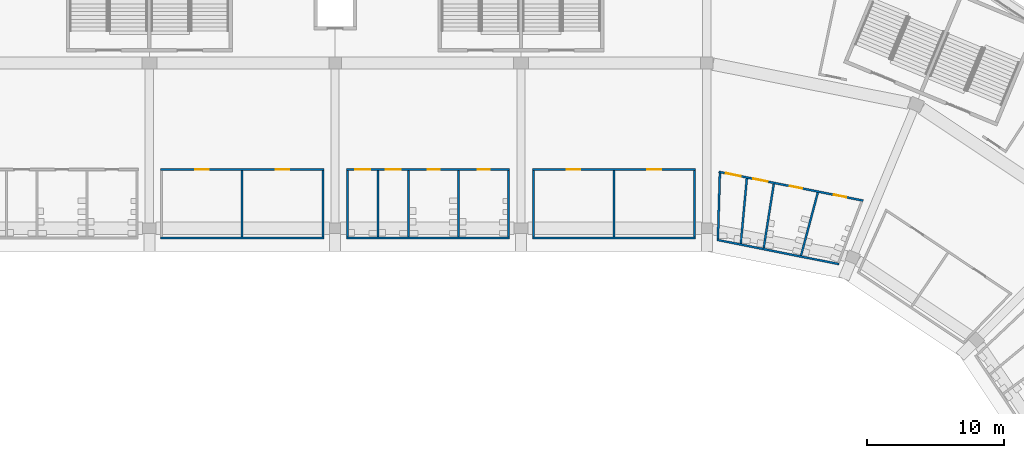
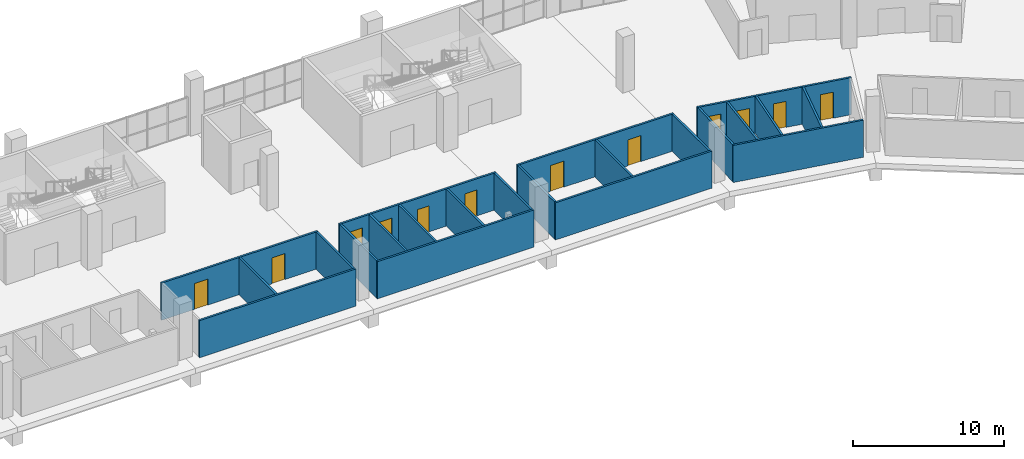
# One storey, part 86 of 199: 22 walls, 12 doors, 12 openings.
"""IFC4 building model written with IfcOpenShell, lengths in metres."""

from ifc_helpers import new_model, si_unit, direction, frame, frame_2d, origin, place, context, subcontext, project, spatial, rectangle, extrude, material, layer, layer_set, type_object, element, fill, save


model = new_model("IFC4")

# Units and contexts
model_context = context("Model", 3, precision=1e-05, world=origin(), true_north=direction((0.0, 1.0)))
body_context = subcontext(model_context, "Body", "Model", "MODEL_VIEW")
ifc_project = project(units=[si_unit("LENGTHUNIT", "METRE"), si_unit("AREAUNIT", "SQUARE_METRE"), si_unit("VOLUMEUNIT", "CUBIC_METRE"), si_unit("PLANEANGLEUNIT", "RADIAN"), si_unit("MASSUNIT", "GRAM", prefix="KILO")], contexts=[model_context])

# Site, building, storey
site_placement = place(None, origin())
site = spatial("IfcSite", under=ifc_project, at=site_placement, CompositionType="ELEMENT")
building_placement = place(site_placement, origin())
building = spatial("IfcBuilding", under=site, at=building_placement, Name="Ogive Plaza Stadium", CompositionType="ELEMENT")
storey_placement = place(building_placement, frame((0.0, 0.0, 4.5)))
storey = spatial("IfcBuildingStorey", under=building, at=storey_placement, Name="L01", CompositionType="ELEMENT", Elevation=4.5)

# Wall
ifc_material_1 = material(Name="Masonry blockwork", Category="masonry")
ifc_layer_1 = layer(ifc_material_1, 0.14990234375)
ifc_layer_set_1 = layer_set([ifc_layer_1], Name="Blockwork wall 150")
wall_type_1 = type_object("IfcWallType", Name="Blockwork wall 150", PredefinedType="SOLIDWALL", material=ifc_layer_set_1)
wall_1_placement = place(storey_placement, frame((-5.97509765625, 79.699951171875, 0.0), z_axis=(0.0, 0.0, 1.0), x_axis=(1.0, 0.0, 0.0)))
element("IfcWall", 1, at=wall_1_placement, inside=storey, type_object=wall_type_1, Name="Wall L01 B34", PredefinedType="SOLIDWALL", context=body_context, shape_type="SweptSolid", body=[
    extrude(rectangle(XDim=11.9501953125, YDim=0.14990234375, at=frame_2d((5.97509765625, 0.0))), origin(), (0.0, 0.0, 1.0), 3.0),
])

# Wall, openings, doors
wall_2_placement = place(storey_placement, frame((-5.97509765625, 84.699951171875, 0.0), z_axis=(0.0, 0.0, 1.0), x_axis=(1.0, 0.0, 0.0)))
wall_2 = element("IfcWall", 2, at=wall_2_placement, inside=storey, type_object=wall_type_1, Name="Wall L01 B34", PredefinedType="SOLIDWALL", context=body_context, shape_type="SweptSolid", body=[
    extrude(rectangle(XDim=11.9501953125, YDim=0.14990234375, at=frame_2d((5.97509765625, 0.0))), origin(), (0.0, 0.0, 1.0), 3.0),
])
opening_1_placement = place(wall_2_placement, frame((2.52490234375, 0.0, 0.0)))
opening_1 = element("IfcOpeningElement", 3, at=opening_1_placement, cuts=wall_2, Name="Opening D0581", PredefinedType="OPENING", context=body_context, shape_type="SweptSolid", body=[
    extrude(rectangle(XDim=1.0, YDim=2.10009765625, at=frame_2d((0.5, 1.050048828125))), frame((0.0, 0.074951171875, 0.0), z_axis=(0.0, -1.0, 0.0), x_axis=(1.0, 0.0, 0.0)), (0.0, 0.0, 1.0), 0.14990234375),
])
opening_2_placement = place(wall_2_placement, frame((8.425048828125, 0.0, 0.0)))
opening_2 = element("IfcOpeningElement", 4, at=opening_2_placement, cuts=wall_2, Name="Opening D0582", PredefinedType="OPENING", context=body_context, shape_type="SweptSolid", body=[
    extrude(rectangle(XDim=1.0, YDim=2.10009765625, at=frame_2d((0.5, 1.050048828125))), frame((0.0, 0.074951171875, 0.0), z_axis=(0.0, -1.0, 0.0), x_axis=(1.0, 0.0, 0.0)), (0.0, 0.0, 1.0), 0.14990234375),
])
ifc_material_2 = material(Name="Steel ASTM A572 Grade 50", Category="steel")
door_type_1 = type_object("IfcDoorType", Name="Door 1000 x 2100", OperationType="SINGLE_SWING_LEFT", PredefinedType="DOOR", material=ifc_material_2)
door_1_placement = place(opening_1_placement, origin())
door_1 = element("IfcDoor", 5, at=door_1_placement, inside=storey, type_object=door_type_1, Name="Club Bar B34 door", OperationType="SINGLE_SWING_RIGHT", OverallHeight=2.10009765625, OverallWidth=1.0, PredefinedType="DOOR", context=body_context, shape_type="SweptSolid", body=[
    extrude(rectangle(XDim=1.0, YDim=2.10009765625, at=frame_2d((0.5, 1.050048828125))), frame((0.0, 0.02490234375, 0.0), z_axis=(0.0, -1.0, 0.0), x_axis=(1.0, 0.0, 0.0)), (0.0, 0.0, 1.0), 0.050048828125),
])
fill(opening_1, door_1)
ifc_material_3 = material(Name="Steel ASTM A572 Grade 50", Category="steel")
door_type_2 = type_object("IfcDoorType", Name="Fire door FD60 1000 x 2100", OperationType="SINGLE_SWING_LEFT", PredefinedType="DOOR", material=ifc_material_3)
door_2_placement = place(opening_2_placement, origin())
door_2 = element("IfcDoor", 6, at=door_2_placement, inside=storey, type_object=door_type_2, Name="Club Kitchen B34 door", OperationType="SINGLE_SWING_LEFT", OverallHeight=2.10009765625, OverallWidth=1.0, PredefinedType="DOOR", context=body_context, shape_type="SweptSolid", body=[
    extrude(rectangle(XDim=1.0, YDim=2.10009765625, at=frame_2d((0.5, 1.050048828125))), frame((0.0, 0.02490234375, 0.0), z_axis=(0.0, -1.0, 0.0), x_axis=(1.0, 0.0, 0.0)), (0.0, 0.0, 1.0), 0.050048828125),
])
fill(opening_2, door_2)

# Walls
for number, where, z_axis, x_axis, name in (
    (7, (0.0, 79.77490234375, 0.0), (0.0, 0.0, 1.0), (0.0, 1.0, 0.0), "Wall L01 B34"),
    (8, (5.89990234375, 79.77490234375, 0.0), (0.0, 0.0, 1.0), (0.0, 1.0, 0.0), "Wall L01 B34"),
):
    element("IfcWall", number, at=place(storey_placement, frame(where, z_axis=z_axis, x_axis=x_axis)), inside=storey, type_object=wall_type_1, Name=name, PredefinedType="SOLIDWALL", context=body_context, shape_type="SweptSolid", body=[
        extrude(rectangle(XDim=4.85009765625, YDim=0.14990234375, at=frame_2d((2.425048828125, 0.0))), origin(), (0.0, 0.0, 1.0), 3.0),
    ])
wall_3_placement = place(storey_placement, frame((21.22509765625, 79.699951171875, 0.0), z_axis=(0.0, 0.0, 1.0), x_axis=(1.0, 0.0, 0.0)))
element("IfcWall", 9, at=wall_3_placement, inside=storey, type_object=wall_type_1, Name="Wall L01 B36", PredefinedType="SOLIDWALL", context=body_context, shape_type="SweptSolid", body=[
    extrude(rectangle(XDim=11.949951171875, YDim=0.14990234375, at=frame_2d((5.97509765625, 0.0))), origin(), (0.0, 0.0, 1.0), 3.0),
])

# Wall, openings, doors
wall_4_placement = place(storey_placement, frame((21.22509765625, 84.699951171875, 0.0), z_axis=(0.0, 0.0, 1.0), x_axis=(1.0, 0.0, 0.0)))
wall_4 = element("IfcWall", 10, at=wall_4_placement, inside=storey, type_object=wall_type_1, Name="Wall L01 B36", PredefinedType="SOLIDWALL", context=body_context, shape_type="SweptSolid", body=[
    extrude(rectangle(XDim=11.949951171875, YDim=0.14990234375, at=frame_2d((5.97509765625, 0.0))), origin(), (0.0, 0.0, 1.0), 3.0),
])
opening_3_placement = place(wall_4_placement, frame((2.52490234375, 0.0, 0.0)))
opening_3 = element("IfcOpeningElement", 11, at=opening_3_placement, cuts=wall_4, Name="Opening D0587", PredefinedType="OPENING", context=body_context, shape_type="SweptSolid", body=[
    extrude(rectangle(XDim=1.0, YDim=2.10009765625, at=frame_2d((0.5, 1.050048828125))), frame((0.0, 0.074951171875, 0.0), z_axis=(0.0, -1.0, 0.0), x_axis=(1.0, 0.0, 0.0)), (0.0, 0.0, 1.0), 0.14990234375),
])
opening_4_placement = place(wall_4_placement, frame((8.425048828125, 0.0, 0.0)))
opening_4 = element("IfcOpeningElement", 12, at=opening_4_placement, cuts=wall_4, Name="Opening D0588", PredefinedType="OPENING", context=body_context, shape_type="SweptSolid", body=[
    extrude(rectangle(XDim=1.0, YDim=2.10009765625, at=frame_2d((0.5, 1.050048828125))), frame((0.0, 0.074951171875, 0.0), z_axis=(0.0, -1.0, 0.0), x_axis=(1.0, 0.0, 0.0)), (0.0, 0.0, 1.0), 0.14990234375),
])
door_3_placement = place(opening_3_placement, origin())
door_3 = element("IfcDoor", 13, at=door_3_placement, inside=storey, type_object=door_type_1, Name="Club Bar B36 door", OperationType="SINGLE_SWING_RIGHT", OverallHeight=2.10009765625, OverallWidth=1.0, PredefinedType="DOOR", context=body_context, shape_type="SweptSolid", body=[
    extrude(rectangle(XDim=1.0, YDim=2.10009765625, at=frame_2d((0.5, 1.050048828125))), frame((0.0, 0.02490234375, 0.0), z_axis=(0.0, -1.0, 0.0), x_axis=(1.0, 0.0, 0.0)), (0.0, 0.0, 1.0), 0.050048828125),
])
fill(opening_3, door_3)
door_4_placement = place(opening_4_placement, origin())
door_4 = element("IfcDoor", 14, at=door_4_placement, inside=storey, type_object=door_type_2, Name="Club Kitchen B36 door", OperationType="SINGLE_SWING_LEFT", OverallHeight=2.10009765625, OverallWidth=1.0, PredefinedType="DOOR", context=body_context, shape_type="SweptSolid", body=[
    extrude(rectangle(XDim=1.0, YDim=2.10009765625, at=frame_2d((0.5, 1.050048828125))), frame((0.0, 0.02490234375, 0.0), z_axis=(0.0, -1.0, 0.0), x_axis=(1.0, 0.0, 0.0)), (0.0, 0.0, 1.0), 0.050048828125),
])
fill(opening_4, door_4)

# Walls
for number, where, z_axis, x_axis, name in (
    (15, (21.300048828125, 79.77490234375, 0.0), (0.0, 0.0, 1.0), (0.0, 1.0, 0.0), "Wall L01 B36"),
    (16, (27.199951171875, 79.77490234375, 0.0), (0.0, 0.0, 1.0), (0.0, 1.0, 0.0), "Wall L01 B36"),
    (17, (33.10009765625, 79.77490234375, 0.0), (0.0, 0.0, 1.0), (0.0, 1.0, 0.0), "Wall L01 B36"),
):
    element("IfcWall", number, at=place(storey_placement, frame(where, z_axis=z_axis, x_axis=x_axis)), inside=storey, type_object=wall_type_1, Name=name, PredefinedType="SOLIDWALL", context=body_context, shape_type="SweptSolid", body=[
        extrude(rectangle(XDim=4.85009765625, YDim=0.14990234375, at=frame_2d((2.425048828125, 0.0))), origin(), (0.0, 0.0, 1.0), 3.0),
    ])
ifc_material_4 = material(Name="Gypsum board partition", Category="gypsum")
ifc_layer_2 = layer(ifc_material_4, 0.14990234375)
ifc_layer_set_2 = layer_set([ifc_layer_2], Name="Partition 150")
wall_type_2 = type_object("IfcWallType", Name="Partition 150", PredefinedType="PARTITIONING", material=ifc_layer_set_2)
wall_5_placement = place(storey_placement, frame((19.574951171875, 79.699951171875, 0.0), z_axis=(0.0, 0.0, 1.0), x_axis=(-1.0, 0.0, 0.0)))
element("IfcWall", 18, at=wall_5_placement, inside=storey, type_object=wall_type_2, Name="Wall L01 B35", PredefinedType="PARTITIONING", context=body_context, shape_type="SweptSolid", body=[
    extrude(rectangle(XDim=11.949951171875, YDim=0.14990234375, at=frame_2d((5.97509765625, 0.0))), origin(), (0.0, 0.0, 1.0), 3.0),
])

# Wall, openings, doors
wall_6_placement = place(storey_placement, frame((19.574951171875, 84.699951171875, 0.0), z_axis=(0.0, 0.0, 1.0), x_axis=(-1.0, 0.0, 0.0)))
wall_6 = element("IfcWall", 19, at=wall_6_placement, inside=storey, type_object=wall_type_2, Name="Wall L01 B35", PredefinedType="PARTITIONING", context=body_context, shape_type="SweptSolid", body=[
    extrude(rectangle(XDim=11.949951171875, YDim=0.14990234375, at=frame_2d((5.97509765625, 0.0))), origin(), (0.0, 0.0, 1.0), 3.0),
])
opening_5_placement = place(wall_6_placement, frame((1.4541015625, 0.0, 0.0)))
opening_5 = element("IfcOpeningElement", 20, at=opening_5_placement, cuts=wall_6, Name="Opening D0583", PredefinedType="OPENING", context=body_context, shape_type="SweptSolid", body=[
    extrude(rectangle(XDim=0.89990234375, YDim=2.10009765625, at=frame_2d((0.449951171875, 1.050048828125))), frame((0.0, 0.074951171875, 0.0), z_axis=(0.0, -1.0, 0.0), x_axis=(1.0, 0.0, 0.0)), (0.0, 0.0, 1.0), 0.14990234375),
])
opening_6_placement = place(wall_6_placement, frame((5.112060546875, 0.0, 0.0)))
opening_6 = element("IfcOpeningElement", 21, at=opening_6_placement, cuts=wall_6, Name="Opening D0584", PredefinedType="OPENING", context=body_context, shape_type="SweptSolid", body=[
    extrude(rectangle(XDim=0.89990234375, YDim=2.10009765625, at=frame_2d((0.449951171875, 1.050048828125))), frame((0.0, 0.074951171875, 0.0), z_axis=(0.0, -1.0, 0.0), x_axis=(1.0, 0.0, 0.0)), (0.0, 0.0, 1.0), 0.14990234375),
])
opening_7_placement = place(wall_6_placement, frame((7.9619140625, 0.0, 0.0)))
opening_7 = element("IfcOpeningElement", 22, at=opening_7_placement, cuts=wall_6, Name="Opening D0585", PredefinedType="OPENING", context=body_context, shape_type="SweptSolid", body=[
    extrude(rectangle(XDim=1.10009765625, YDim=2.10009765625, at=frame_2d((0.550048828125, 1.050048828125))), frame((0.0, 0.074951171875, 0.0), z_axis=(0.0, -1.0, 0.0), x_axis=(1.0, 0.0, 0.0)), (0.0, 0.0, 1.0), 0.14990234375),
])
opening_8_placement = place(wall_6_placement, frame((10.2041015625, 0.0, 0.0)))
opening_8 = element("IfcOpeningElement", 23, at=opening_8_placement, cuts=wall_6, Name="Opening D0586", PredefinedType="OPENING", context=body_context, shape_type="SweptSolid", body=[
    extrude(rectangle(XDim=1.10009765625, YDim=2.10009765625, at=frame_2d((0.550048828125, 1.050048828125))), frame((0.0, 0.074951171875, 0.0), z_axis=(0.0, -1.0, 0.0), x_axis=(1.0, 0.0, 0.0)), (0.0, 0.0, 1.0), 0.14990234375),
])
ifc_material_5 = material(Name="Steel ASTM A572 Grade 50", Category="steel")
door_type_3 = type_object("IfcDoorType", Name="Accessible door 1100 x 2100", OperationType="SINGLE_SWING_LEFT", PredefinedType="DOOR", material=ifc_material_5)
door_5_placement = place(opening_7_placement, origin())
door_5 = element("IfcDoor", 24, at=door_5_placement, inside=storey, type_object=door_type_3, Name="Accessible WC B35 door", OperationType="SINGLE_SWING_LEFT", OverallHeight=2.10009765625, OverallWidth=1.10009765625, PredefinedType="DOOR", context=body_context, shape_type="SweptSolid", body=[
    extrude(rectangle(XDim=1.10009765625, YDim=2.10009765625, at=frame_2d((0.550048828125, 1.050048828125))), frame((0.0, 0.02490234375, 0.0), z_axis=(0.0, -1.0, 0.0), x_axis=(1.0, 0.0, 0.0)), (0.0, 0.0, 1.0), 0.050048828125),
])
fill(opening_7, door_5)
door_6_placement = place(opening_8_placement, origin())
door_6 = element("IfcDoor", 25, at=door_6_placement, inside=storey, type_object=door_type_3, Name="Family WC B35 door", OperationType="SINGLE_SWING_RIGHT", OverallHeight=2.10009765625, OverallWidth=1.10009765625, PredefinedType="DOOR", context=body_context, shape_type="SweptSolid", body=[
    extrude(rectangle(XDim=1.10009765625, YDim=2.10009765625, at=frame_2d((0.550048828125, 1.050048828125))), frame((0.0, 0.02490234375, 0.0), z_axis=(0.0, -1.0, 0.0), x_axis=(1.0, 0.0, 0.0)), (0.0, 0.0, 1.0), 0.050048828125),
])
fill(opening_8, door_6)
ifc_material_6 = material(Name="Steel ASTM A572 Grade 50", Category="steel")
door_type_4 = type_object("IfcDoorType", Name="Door 900 x 2100", OperationType="SINGLE_SWING_LEFT", PredefinedType="DOOR", material=ifc_material_6)
door_7_placement = place(opening_5_placement, origin())
door_7 = element("IfcDoor", 26, at=door_7_placement, inside=storey, type_object=door_type_4, Name="Men's Toilet B35 door", OperationType="SINGLE_SWING_LEFT", OverallHeight=2.10009765625, OverallWidth=0.89990234375, PredefinedType="DOOR", context=body_context, shape_type="SweptSolid", body=[
    extrude(rectangle(XDim=0.89990234375, YDim=2.10009765625, at=frame_2d((0.449951171875, 1.050048828125))), frame((0.0, 0.02490234375, 0.0), z_axis=(0.0, -1.0, 0.0), x_axis=(1.0, 0.0, 0.0)), (0.0, 0.0, 1.0), 0.050048828125),
])
fill(opening_5, door_7)
door_8_placement = place(opening_6_placement, origin())
door_8 = element("IfcDoor", 27, at=door_8_placement, inside=storey, type_object=door_type_4, Name="Women's Toilet B35 door", OperationType="SINGLE_SWING_RIGHT", OverallHeight=2.10009765625, OverallWidth=0.89990234375, PredefinedType="DOOR", context=body_context, shape_type="SweptSolid", body=[
    extrude(rectangle(XDim=0.89990234375, YDim=2.10009765625, at=frame_2d((0.449951171875, 1.050048828125))), frame((0.0, 0.02490234375, 0.0), z_axis=(0.0, -1.0, 0.0), x_axis=(1.0, 0.0, 0.0)), (0.0, 0.0, 1.0), 0.050048828125),
])
fill(opening_6, door_8)

# Walls
for number, where, z_axis, x_axis, name in (
    (28, (19.5, 79.77490234375, 0.0), (0.0, 0.0, 1.0), (0.0, 1.0, 0.0), "Wall L01 B35"),
    (29, (15.842041015625, 79.77490234375, 0.0), (0.0, 0.0, 1.0), (0.0, 1.0, 0.0), "Wall L01 B35"),
    (30, (12.18408203125, 79.77490234375, 0.0), (0.0, 0.0, 1.0), (0.0, 1.0, 0.0), "Wall L01 B35"),
    (31, (9.94189453125, 79.77490234375, 0.0), (0.0, 0.0, 1.0), (0.0, 1.0, 0.0), "Wall L01 B35"),
    (32, (7.699951171875, 79.77490234375, 0.0), (0.0, 0.0, 1.0), (0.0, 1.0, 0.0), "Wall L01 B35"),
):
    element("IfcWall", number, at=place(storey_placement, frame(where, z_axis=z_axis, x_axis=x_axis)), inside=storey, type_object=wall_type_2, Name=name, PredefinedType="PARTITIONING", context=body_context, shape_type="SweptSolid", body=[
        extrude(rectangle(XDim=4.85009765625, YDim=0.14990234375, at=frame_2d((2.425048828125, 0.0))), origin(), (0.0, 0.0, 1.0), 3.0),
    ])
wall_7_placement = place(storey_placement, frame((43.66796875, 77.77685546875, 0.0), z_axis=(0.0, 0.0, 1.0), x_axis=(-0.980786464492, 0.195084369103, 0.0)))
element("IfcWall", 33, at=wall_7_placement, inside=storey, type_object=wall_type_2, Name="Wall L01 B37", PredefinedType="PARTITIONING", context=body_context, shape_type="SweptSolid", body=[
    extrude(rectangle(XDim=9.101806640625, YDim=0.14990234375, at=frame_2d((4.55078125, 0.0))), origin(), (0.0, 0.0, 1.0), 3.0),
])

# Wall, openings, doors
wall_8_placement = place(storey_placement, frame((45.445068359375, 82.42333984375, 0.0), z_axis=(0.0, 0.0, 1.0), x_axis=(-0.98078580384, 0.195087690502, 0.0)))
wall_8 = element("IfcWall", 34, at=wall_8_placement, inside=storey, type_object=wall_type_2, Name="Wall L01 B37", PredefinedType="PARTITIONING", context=body_context, shape_type="SweptSolid", body=[
    extrude(rectangle(XDim=10.77490234375, YDim=0.14990234375, at=frame_2d((5.387451171875, 0.0))), origin(), (0.0, 0.0, 1.0), 3.0),
])
opening_9_placement = place(wall_8_placement, frame((1.276123046875, 0.0, 0.0)))
opening_9 = element("IfcOpeningElement", 35, at=opening_9_placement, cuts=wall_8, Name="Opening D0589", PredefinedType="OPENING", context=body_context, shape_type="SweptSolid", body=[
    extrude(rectangle(XDim=0.89990234375, YDim=2.10009765625, at=frame_2d((0.449951171875, 1.050048828125))), frame((0.0, 0.074951171875, 0.0), z_axis=(0.0, -1.0, 0.0), x_axis=(1.0, 0.0, 0.0)), (0.0, 0.0, 1.0), 0.14990234375),
])
opening_10_placement = place(wall_8_placement, frame((4.56591796875, 0.0, 0.0)))
opening_10 = element("IfcOpeningElement", 36, at=opening_10_placement, cuts=wall_8, Name="Opening D0590", PredefinedType="OPENING", context=body_context, shape_type="SweptSolid", body=[
    extrude(rectangle(XDim=0.89990234375, YDim=2.10009765625, at=frame_2d((0.449951171875, 1.050048828125))), frame((0.0, 0.074951171875, 0.0), z_axis=(0.0, -1.0, 0.0), x_axis=(1.0, 0.0, 0.0)), (0.0, 0.0, 1.0), 0.14990234375),
])
opening_11_placement = place(wall_8_placement, frame((7.119140625, 0.0, 0.0)))
opening_11 = element("IfcOpeningElement", 37, at=opening_11_placement, cuts=wall_8, Name="Opening D0591", PredefinedType="OPENING", context=body_context, shape_type="SweptSolid", body=[
    extrude(rectangle(XDim=1.10009765625, YDim=2.10009765625, at=frame_2d((0.550048828125, 1.050048828125))), frame((0.0, 0.074951171875, 0.0), z_axis=(0.0, -1.0, 0.0), x_axis=(1.0, 0.0, 0.0)), (0.0, 0.0, 1.0), 0.14990234375),
])
opening_12_placement = place(wall_8_placement, frame((9.135498046875, 0.0, 0.0)))
opening_12 = element("IfcOpeningElement", 38, at=opening_12_placement, cuts=wall_8, Name="Opening D0592", PredefinedType="OPENING", context=body_context, shape_type="SweptSolid", body=[
    extrude(rectangle(XDim=1.10009765625, YDim=2.10009765625, at=frame_2d((0.550048828125, 1.050048828125))), frame((0.0, 0.074951171875, 0.0), z_axis=(0.0, -1.0, 0.0), x_axis=(1.0, 0.0, 0.0)), (0.0, 0.0, 1.0), 0.14990234375),
])
door_9_placement = place(opening_11_placement, origin())
door_9 = element("IfcDoor", 39, at=door_9_placement, inside=storey, type_object=door_type_3, Name="Accessible WC B37 door", OperationType="SINGLE_SWING_LEFT", OverallHeight=2.10009765625, OverallWidth=1.10009765625, PredefinedType="DOOR", context=body_context, shape_type="SweptSolid", body=[
    extrude(rectangle(XDim=1.10009765625, YDim=2.10009765625, at=frame_2d((0.550048828125, 1.050048828125))), frame((0.0, 0.02490234375, 0.0), z_axis=(0.0, -1.0, 0.0), x_axis=(1.0, 0.0, 0.0)), (0.0, 0.0, 1.0), 0.050048828125),
])
fill(opening_11, door_9)
door_10_placement = place(opening_12_placement, origin())
door_10 = element("IfcDoor", 40, at=door_10_placement, inside=storey, type_object=door_type_3, Name="Family WC B37 door", OperationType="SINGLE_SWING_LEFT", OverallHeight=2.10009765625, OverallWidth=1.10009765625, PredefinedType="DOOR", context=body_context, shape_type="SweptSolid", body=[
    extrude(rectangle(XDim=1.10009765625, YDim=2.10009765625, at=frame_2d((0.550048828125, 1.050048828125))), frame((0.0, 0.02490234375, 0.0), z_axis=(0.0, -1.0, 0.0), x_axis=(1.0, 0.0, 0.0)), (0.0, 0.0, 1.0), 0.050048828125),
])
fill(opening_12, door_10)
door_11_placement = place(opening_9_placement, origin())
door_11 = element("IfcDoor", 41, at=door_11_placement, inside=storey, type_object=door_type_4, Name="Men's Toilet B37 door", OperationType="SINGLE_SWING_RIGHT", OverallHeight=2.10009765625, OverallWidth=0.89990234375, PredefinedType="DOOR", context=body_context, shape_type="SweptSolid", body=[
    extrude(rectangle(XDim=0.89990234375, YDim=2.10009765625, at=frame_2d((0.449951171875, 1.050048828125))), frame((0.0, 0.02490234375, 0.0), z_axis=(0.0, -1.0, 0.0), x_axis=(1.0, 0.0, 0.0)), (0.0, 0.0, 1.0), 0.050048828125),
])
fill(opening_9, door_11)
door_12_placement = place(opening_10_placement, origin())
door_12 = element("IfcDoor", 42, at=door_12_placement, inside=storey, type_object=door_type_4, Name="Women's Toilet B37 door", OperationType="SINGLE_SWING_RIGHT", OverallHeight=2.10009765625, OverallWidth=0.89990234375, PredefinedType="DOOR", context=body_context, shape_type="SweptSolid", body=[
    extrude(rectangle(XDim=0.89990234375, YDim=2.10009765625, at=frame_2d((0.449951171875, 1.050048828125))), frame((0.0, 0.02490234375, 0.0), z_axis=(0.0, -1.0, 0.0), x_axis=(1.0, 0.0, 0.0)), (0.0, 0.0, 1.0), 0.050048828125),
])
fill(opening_10, door_12)

# Walls
wall_9_placement = place(storey_placement, frame((40.89404296875, 78.40380859375, 0.0), z_axis=(0.0, 0.0, 1.0), x_axis=(0.257187590259, 0.966361497276, 0.0)))
element("IfcWall", 43, at=wall_9_placement, inside=storey, type_object=wall_type_2, Name="Wall L01 B37", PredefinedType="PARTITIONING", context=body_context, shape_type="SweptSolid", body=[
    extrude(rectangle(XDim=4.766357421875, YDim=0.14990234375, at=frame_2d((2.38330078125, 0.0))), origin(), (0.0, 0.0, 1.0), 3.0),
])
wall_10_placement = place(storey_placement, frame((38.160888671875, 78.947265625, 0.0), z_axis=(0.0, 0.0, 1.0), x_axis=(0.155385827215, 0.987853857967, 0.0)))
element("IfcWall", 44, at=wall_10_placement, inside=storey, type_object=wall_type_2, Name="Wall L01 B37", PredefinedType="PARTITIONING", context=body_context, shape_type="SweptSolid", body=[
    extrude(rectangle(XDim=4.7607421875, YDim=0.14990234375, at=frame_2d((2.38037109375, 0.0))), origin(), (0.0, 0.0, 1.0), 3.0),
])
wall_11_placement = place(storey_placement, frame((36.48583984375, 79.280517578125, 0.0), z_axis=(0.0, 0.0, 1.0), x_axis=(0.092395037313, 0.995722429736, 0.0)))
element("IfcWall", 45, at=wall_11_placement, inside=storey, type_object=wall_type_2, Name="Wall L01 B37", PredefinedType="PARTITIONING", context=body_context, shape_type="SweptSolid", body=[
    extrude(rectangle(XDim=4.78271484375, YDim=0.14990234375, at=frame_2d((2.391357421875, 0.0))), origin(), (0.0, 0.0, 1.0), 3.0),
])
wall_12_placement = place(storey_placement, frame((34.810546875, 79.61376953125, 0.0), z_axis=(0.0, 0.0, 1.0), x_axis=(0.02991368842, 0.999552485488, 0.0)))
element("IfcWall", 46, at=wall_12_placement, inside=storey, type_object=wall_type_2, Name="Wall L01 B37", PredefinedType="PARTITIONING", context=body_context, shape_type="SweptSolid", body=[
    extrude(rectangle(XDim=4.823486328125, YDim=0.14990234375, at=frame_2d((2.41162109375, 0.0))), origin(), (0.0, 0.0, 1.0), 3.0),
])

save(model, "model.ifc")
